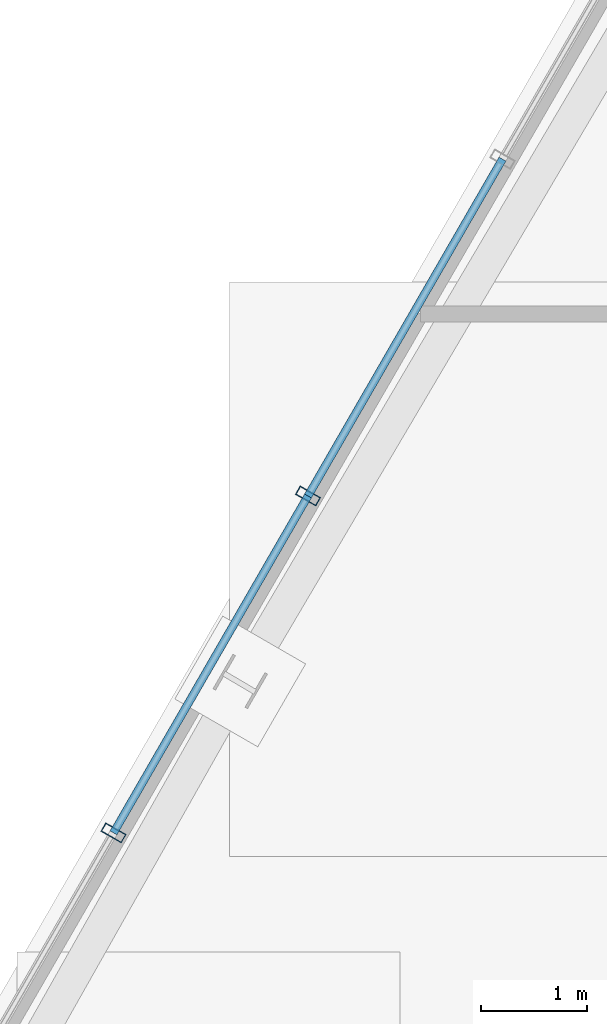
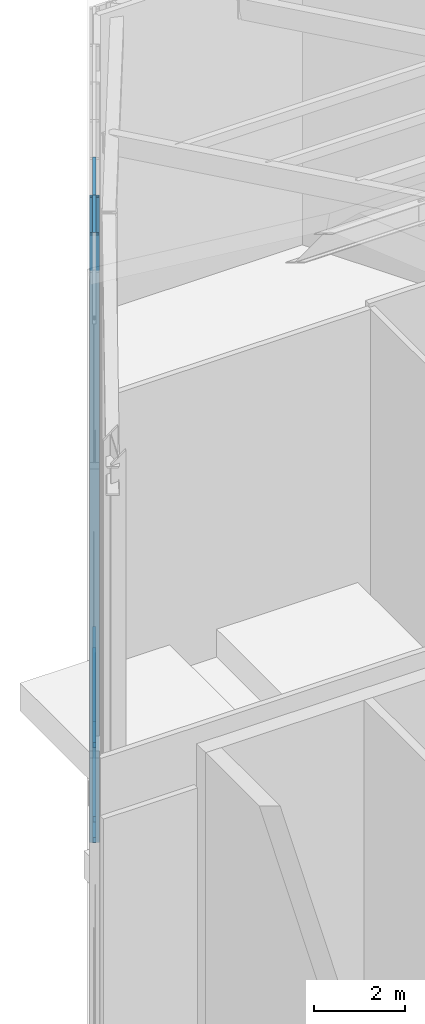
# One storey, part 17 of 36: 8 members, 3 elements without a shape of their own.
"""IFC4 building model written with IfcOpenShell, lengths in metres."""

import ifcopenshell
import ifcopenshell.guid

model = None  # the IFC model being written
_history = None  # IfcOwnerHistory: only IFC2X3 demands one
_inside = {}  # id of a spatial element -> (the spatial element, [elements in it])
_under = {}  # id of a project, library or spatial element -> (it, [spatial elements below it])
_declared = {}  # id of a project -> (the project, [libraries it declares])
_typed = {}  # id of a type object -> (the type object, [elements of that type])
_made_of = {}  # id of a material, layer set ... -> (it, [elements and type objects made of it])


def new_model(schema):
    """Start an empty IFC model of exactly this schema.

    Asked for "IFC4X3", IfcOpenShell would pick the latest addendum, in which some entities
    have other attributes; the version numbers below select the first issue.
    IFC2X3 requires an IfcOwnerHistory on every rooted entity: one is made here for all.
    """
    global model, _history
    if schema == "IFC4X3":
        model = ifcopenshell.file(schema_version=(4, 3, 0, 0))
    else:
        model = ifcopenshell.file(schema=schema)
    _inside.clear()
    _under.clear()
    _declared.clear()
    _typed.clear()
    _made_of.clear()
    _history = None
    if model.schema == "IFC2X3":
        org = make("IfcOrganization", Name="unknown")
        user = make(
            "IfcPersonAndOrganization",
            ThePerson=make("IfcPerson", FamilyName="unknown"),
            TheOrganization=org,
        )
        app = make(
            "IfcApplication",
            ApplicationDeveloper=org,
            Version="unknown",
            ApplicationFullName="unknown",
            ApplicationIdentifier="unknown",
        )
        _history = make(
            "IfcOwnerHistory",
            OwningUser=user,
            OwningApplication=app,
            ChangeAction="ADDED",
            CreationDate=0,
        )
    return model


def make(cls, **values):
    """One entity of the class cls with the attributes given. An attribute that is None is left unset."""
    return model.create_entity(
        cls, **{name: value for name, value in values.items() if value is not None}
    )


def rooted(cls, **values):
    """An entity with a GlobalId (a new one), such as an element, a storey or a relation."""
    return make(cls, GlobalId=ifcopenshell.guid.new(), OwnerHistory=_history, **values)


def si_unit(unit_type, name, prefix=None):
    """IfcSIUnit, for example si_unit("LENGTHUNIT", "METRE", prefix="MILLI")."""
    return make("IfcSIUnit", UnitType=unit_type, Prefix=prefix, Name=name)


def assignment(units):
    """IfcUnitAssignment: the units of a project."""
    return None if units is None else make("IfcUnitAssignment", Units=units)


def point(xyz):
    """IfcCartesianPoint."""
    return None if xyz is None else make("IfcCartesianPoint", Coordinates=xyz)


def direction(xyz):
    """IfcDirection."""
    return None if xyz is None else make("IfcDirection", DirectionRatios=xyz)


def frame(location, z_axis=None, x_axis=None):
    """IfcAxis2Placement3D, a coordinate frame: its origin and axes. An axis left out is left unset."""
    return make(
        "IfcAxis2Placement3D",
        Location=point(location),
        Axis=direction(z_axis),
        RefDirection=direction(x_axis),
    )


def frame_2d(location, x_axis=None):
    """IfcAxis2Placement2D, a coordinate frame in the plane: its origin and x axis."""
    return make(
        "IfcAxis2Placement2D", Location=point(location), RefDirection=direction(x_axis)
    )


def origin():
    """The frame at (0, 0, 0) with its axes left unset."""
    return frame((0.0, 0.0, 0.0))


def origin_2d():
    """The frame at (0, 0) in the plane with its x axis left unset."""
    return frame_2d((0.0, 0.0))


def place(relative_to, where):
    """IfcLocalPlacement: puts the frame where relative to a parent placement (None: the world)."""
    return make(
        "IfcLocalPlacement", PlacementRelTo=relative_to, RelativePlacement=where
    )


def context(
    kind, dimensions, precision=None, world=None, true_north=None, identifier=None
):
    """IfcGeometricRepresentationContext, for example the 3D "Model" context."""
    return make(
        "IfcGeometricRepresentationContext",
        ContextIdentifier=identifier,
        ContextType=kind,
        CoordinateSpaceDimension=dimensions,
        Precision=precision,
        WorldCoordinateSystem=world,
        TrueNorth=true_north,
    )


def subcontext(parent, identifier, kind, view, scale=None):
    """IfcGeometricRepresentationSubContext, for example "Body" below "Model"."""
    return make(
        "IfcGeometricRepresentationSubContext",
        ContextIdentifier=identifier,
        ContextType=kind,
        ParentContext=parent,
        TargetScale=scale,
        TargetView=view,
    )


def project(units=None, contexts=None):
    """IfcProject with its units and contexts."""
    return rooted(
        "IfcProject",
        Name="project",
        RepresentationContexts=contexts,
        UnitsInContext=assignment(units),
    )


def spatial(cls, under=None, at=None, **own):
    """A site, building, storey or space (cls), placed at a placement, below another one or the project."""
    s = rooted(cls, ObjectPlacement=at, **own)
    if under is not None:
        _under.setdefault(under.id(), (under, []))[1].append(s)
    return s


def profile(cls, at=None, kind="AREA", **sizes):
    """A parametric profile (cls). Its sizes go by their IFC names, for example OverallWidth=200.0."""
    return make(cls, ProfileType=kind, Position=at, **sizes)


def hollow_rectangle(**sizes):
    """IfcRectangleHollowProfileDef."""
    return profile("IfcRectangleHollowProfileDef", **sizes)


def extrude(swept, where, along, depth):
    """IfcExtrudedAreaSolid: the profile swept, set in the frame where, extruded along a direction by depth."""
    return make(
        "IfcExtrudedAreaSolid",
        SweptArea=swept,
        Position=where,
        ExtrudedDirection=direction(along),
        Depth=depth,
    )


def shape(context_of_items, identifier, shape_type, items):
    """IfcShapeRepresentation: the items that make up one representation, for example the "Body"."""
    return make(
        "IfcShapeRepresentation",
        ContextOfItems=context_of_items,
        RepresentationIdentifier=identifier,
        RepresentationType=shape_type,
        Items=items,
    )


def material(Name=None, Category=None):
    """IfcMaterial."""
    return make("IfcMaterial", Name=Name, Category=Category)


def layer(
    of_material, thickness, ventilated=None, Name=None, Category=None, Priority=None
):
    """IfcMaterialLayer: one layer of a wall or slab, of a material (None: an air gap)."""
    return make(
        "IfcMaterialLayer",
        Material=of_material,
        LayerThickness=thickness,
        IsVentilated=ventilated,
        Name=Name,
        Category=Category,
        Priority=Priority,
    )


def layer_set(layers, Name=None):
    """IfcMaterialLayerSet."""
    return make("IfcMaterialLayerSet", MaterialLayers=layers, LayerSetName=Name)


def material_profile(
    of_material, cross_section, Name=None, Category=None, Priority=None
):
    """IfcMaterialProfile: a cross section and its material."""
    return make(
        "IfcMaterialProfile",
        Name=Name,
        Material=of_material,
        Profile=cross_section,
        Priority=Priority,
        Category=Category,
    )


def profile_set(profiles, Name=None, composite=None):
    """IfcMaterialProfileSet."""
    return make(
        "IfcMaterialProfileSet",
        Name=Name,
        MaterialProfiles=profiles,
        CompositeProfile=composite,
    )


def made_of(thing, what):
    """Note that an element or type object is made of a material, layer set ...; save() writes the relation."""
    if what is not None:
        _made_of.setdefault(what.id(), (what, []))[1].append(thing)
    return thing


def type_object(cls, material=None, **own):
    """A type object (cls), such as IfcWallType, which elements share."""
    return made_of(rooted(cls, **own), material)


def element(
    cls,
    number,
    at=None,
    inside=None,
    cuts=None,
    type_object=None,
    material=None,
    context=None,
    identifier="Body",
    shape_type=None,
    held_by="IfcProductDefinitionShape",
    body=None,
    shapes=None,
    **own,
):
    """One element of the class cls, such as IfcWall. Its Tag is "e" and its number.

    at: its placement. inside: the storey or other place that contains it. cuts: it is an
    opening in that element (IfcRelVoidsElement). A single representation is given by context,
    identifier, shape_type and body (its items); several are given by shapes. held_by: the class
    of the entity that holds the representations. save() writes the other relations.
    """
    e = rooted(cls, Tag="e%d" % number, ObjectPlacement=at, **own)
    if body is not None:
        shapes = [shape(context, identifier, shape_type, body)]
    if shapes is not None:
        e.Representation = make(held_by, Representations=shapes)
    if inside is not None:
        _inside.setdefault(inside.id(), (inside, []))[1].append(e)
    if cuts is not None:
        rooted(
            "IfcRelVoidsElement", RelatingBuildingElement=cuts, RelatedOpeningElement=e
        )
    if type_object is not None:
        _typed.setdefault(type_object.id(), (type_object, []))[1].append(e)
    return made_of(e, material)


def aggregate(whole, parts):
    """IfcRelAggregates: a whole, such as a stair, and the parts it consists of."""
    return rooted("IfcRelAggregates", RelatingObject=whole, RelatedObjects=parts)


def save(model, path):
    """Write the relations noted so far, then the file.

    IfcRelAggregates (storeys below a building ...), IfcRelContainedInSpatialStructure (elements
    in a storey), IfcRelDefinesByType, IfcRelAssociatesMaterial and IfcRelDeclares: one each for
    every whole, place, type object, material and project.
    """
    for whole, parts in _under.values():
        aggregate(whole, parts)
    for where, things in _inside.values():
        rooted(
            "IfcRelContainedInSpatialStructure",
            RelatedElements=things,
            RelatingStructure=where,
        )
    for kind, things in _typed.values():
        rooted("IfcRelDefinesByType", RelatedObjects=things, RelatingType=kind)
    for what, things in _made_of.values():
        rooted("IfcRelAssociatesMaterial", RelatedObjects=things, RelatingMaterial=what)
    for by, libraries in _declared.values():
        rooted("IfcRelDeclares", RelatingContext=by, RelatedDefinitions=libraries)
    model.write(path)


model = new_model("IFC4")

# Units and contexts
model_context = context("Model", 3, precision=1e-05, world=origin(), true_north=direction((0.0, 1.0)))
body_context = subcontext(model_context, "Body", "Model", "MODEL_VIEW")
ifc_project = project(units=[si_unit("LENGTHUNIT", "METRE"), si_unit("AREAUNIT", "SQUARE_METRE"), si_unit("VOLUMEUNIT", "CUBIC_METRE"), si_unit("PLANEANGLEUNIT", "RADIAN"), si_unit("MASSUNIT", "GRAM", prefix="KILO")], contexts=[model_context])

# Site, building, storey
site_placement = place(None, origin())
site = spatial("IfcSite", under=ifc_project, at=site_placement, CompositionType="ELEMENT")
building_placement = place(site_placement, origin())
building = spatial("IfcBuilding", under=site, at=building_placement, Name="Ndaravel Arena Tower", CompositionType="ELEMENT")
storey_placement = place(building_placement, frame((0.0, 0.0, 308.10009765625)))
storey = spatial("IfcBuildingStorey", under=building, at=storey_placement, Name="Roof Crown", CompositionType="ELEMENT", Elevation=308.10009765625)

# Curtain wall, member
ifc_material_1 = material(Name="Aluminium", Category="aluminium")
ifc_layer = layer(ifc_material_1, 0.179931640625)
ifc_layer_set = layer_set([ifc_layer], Name="Aluminium")
curtain_wall_type = type_object("IfcCurtainWallType", Name="CW-SYS-06", PredefinedType="NOTDEFINED", material=ifc_layer_set)
curtain_wall_1_placement = place(storey_placement, origin())
curtain_wall_1 = element("IfcCurtainWall", 1, at=curtain_wall_1_placement, inside=storey, type_object=curtain_wall_type, Name="Roof Crown Sloped Crown Lantern Curtain Wall CW-CROWN-E05-S06", PredefinedType="NOTDEFINED")
ifc_material_2 = material(Name="Aluminium", Category="aluminium")
ifc_material_profile_1 = material_profile(ifc_material_2, hollow_rectangle(XDim=0.090087890625, YDim=0.219970703125, WallThickness=0.0048828125, at=origin_2d()), Name="CW MULLION 90x220x5")
ifc_profile_set_1 = profile_set([ifc_material_profile_1], Name="Aluminium")
member_type_1 = type_object("IfcMemberType", Name="MEM-CW-MUL220", PredefinedType="MULLION", material=ifc_profile_set_1)
member_1_placement = place(storey_placement, frame((30.93701171875, 27.489013671875, 0.0), z_axis=(0.0, 0.0, 1.0), x_axis=(-0.5, -0.866025403784, 0.0)))
member_1 = element("IfcMember", 2, at=member_1_placement, type_object=member_type_1, Name="CW-CROWN-E05-S06 Mullion 00", PredefinedType="MULLION", context=body_context, shape_type="SweptSolid", body=[
    extrude(hollow_rectangle(XDim=0.090087890625, YDim=0.219970703125, WallThickness=0.0048828125, at=origin_2d()), origin(), (0.0, 0.0, 1.0), 14.84228515625),
])

curtain_wall_2_placement = place(storey_placement, origin())
curtain_wall_2 = element("IfcCurtainWall", 3, at=curtain_wall_2_placement, inside=storey, type_object=curtain_wall_type, Name="Roof Crown Sloped Crown Lantern Curtain Wall CW-CROWN-E05-S07", PredefinedType="NOTDEFINED")
member_2_placement = place(storey_placement, frame((29.1083984375, 24.32177734375, 0.0), z_axis=(0.0, 0.0, 1.0), x_axis=(-0.500015114919, -0.866016677006, 0.0)))
member_2 = element("IfcMember", 4, at=member_2_placement, type_object=member_type_1, Name="CW-CROWN-E05-S07 Mullion 00", PredefinedType="MULLION", context=body_context, shape_type="SweptSolid", body=[
    extrude(hollow_rectangle(XDim=0.090087890625, YDim=0.219970703125, WallThickness=0.0048828125, at=origin_2d()), origin(), (0.0, 0.0, 1.0), 16.38720703125),
])
aggregate(curtain_wall_2, [member_2])

# Curtain wall, members
curtain_wall_3_placement = place(storey_placement, origin())
curtain_wall_3 = element("IfcCurtainWall", 5, at=curtain_wall_3_placement, inside=storey, type_object=curtain_wall_type, Name="Roof Crown Sloped Crown Lantern Curtain Wall CW-CROWN-E05-S05", PredefinedType="NOTDEFINED")
ifc_material_3 = material(Name="Aluminium", Category="aluminium")
ifc_material_profile_2 = material_profile(ifc_material_3, hollow_rectangle(XDim=0.074951171875, YDim=0.14990234375, WallThickness=0.00390625, at=origin_2d()), Name="CW TRANSOM 75x150x4")
ifc_profile_set_2 = profile_set([ifc_material_profile_2], Name="Aluminium")
member_type_2 = type_object("IfcMemberType", Name="MEM-CW-TRN150", PredefinedType="USERDEFINED", material=ifc_profile_set_2)
member_3_placement = place(storey_placement, frame((32.765625, 30.65625, 0.039794921875), z_axis=(-0.500001750229, -0.866024393287, 0.0), x_axis=(0.866024393287, -0.500001750229, 0.0)))
member_3 = element("IfcMember", 6, at=member_3_placement, type_object=member_type_2, Name="CW-CROWN-E05-S05 Transom 01", ObjectType="TRANSOM", PredefinedType="USERDEFINED", context=body_context, shape_type="SweptSolid", body=[
    extrude(hollow_rectangle(XDim=0.074951171875, YDim=0.14990234375, WallThickness=0.00390625, at=origin_2d()), origin(), (0.0, 0.0, 1.0), 3.6572265625),
])
member_4_placement = place(storey_placement, frame((32.765625, 30.65625, 0.599853515625), z_axis=(-0.500001750229, -0.866024393287, 0.0), x_axis=(0.866024393287, -0.500001750229, 0.0)))
member_4 = element("IfcMember", 7, at=member_4_placement, type_object=member_type_2, Name="CW-CROWN-E05-S05 Transom 02", ObjectType="TRANSOM", PredefinedType="USERDEFINED", context=body_context, shape_type="SweptSolid", body=[
    extrude(hollow_rectangle(XDim=0.074951171875, YDim=0.14990234375, WallThickness=0.00390625, at=origin_2d()), origin(), (0.0, 0.0, 1.0), 3.6572265625),
])
member_5_placement = place(storey_placement, frame((32.765625, 30.65625, 13.257568359375), z_axis=(-0.500001750229, -0.866024393287, 0.0), x_axis=(0.866024393287, -0.500001750229, 0.0)))
member_5 = element("IfcMember", 8, at=member_5_placement, type_object=member_type_2, Name="CW-CROWN-E05-S05 Transom 03", ObjectType="TRANSOM", PredefinedType="USERDEFINED", context=body_context, shape_type="SweptSolid", body=[
    extrude(hollow_rectangle(XDim=0.074951171875, YDim=0.14990234375, WallThickness=0.00390625, at=origin_2d()), origin(), (0.0, 0.0, 1.0), 3.6572265625),
])
aggregate(curtain_wall_3, [member_3, member_4, member_5])

# Member
member_6_placement = place(storey_placement, frame((30.93701171875, 27.489013671875, 0.039794921875), z_axis=(-0.500001750229, -0.866024393287, 0.0), x_axis=(0.866024393287, -0.500001750229, 0.0)))
member_6 = element("IfcMember", 9, at=member_6_placement, type_object=member_type_2, Name="CW-CROWN-E05-S06 Transom 01", ObjectType="TRANSOM", PredefinedType="USERDEFINED", context=body_context, shape_type="SweptSolid", body=[
    extrude(hollow_rectangle(XDim=0.074951171875, YDim=0.14990234375, WallThickness=0.00390625, at=origin_2d()), origin(), (0.0, 0.0, 1.0), 3.6572265625),
])

member_7_placement = place(storey_placement, frame((30.93701171875, 27.489013671875, 0.599853515625), z_axis=(-0.500001750229, -0.866024393287, 0.0), x_axis=(0.866024393287, -0.500001750229, 0.0)))
member_7 = element("IfcMember", 10, at=member_7_placement, type_object=member_type_2, Name="CW-CROWN-E05-S06 Transom 02", ObjectType="TRANSOM", PredefinedType="USERDEFINED", context=body_context, shape_type="SweptSolid", body=[
    extrude(hollow_rectangle(XDim=0.074951171875, YDim=0.14990234375, WallThickness=0.00390625, at=origin_2d()), origin(), (0.0, 0.0, 1.0), 3.6572265625),
])

member_8_placement = place(storey_placement, frame((30.93701171875, 27.489013671875, 14.802490234375), z_axis=(-0.500001750229, -0.866024393287, 0.0), x_axis=(0.866024393287, -0.500001750229, 0.0)))
member_8 = element("IfcMember", 11, at=member_8_placement, type_object=member_type_2, Name="CW-CROWN-E05-S06 Transom 03", ObjectType="TRANSOM", PredefinedType="USERDEFINED", context=body_context, shape_type="SweptSolid", body=[
    extrude(hollow_rectangle(XDim=0.074951171875, YDim=0.14990234375, WallThickness=0.00390625, at=origin_2d()), origin(), (0.0, 0.0, 1.0), 3.6572265625),
])

aggregate(curtain_wall_1, [member_1, member_6, member_7, member_8])

save(model, "model.ifc")
